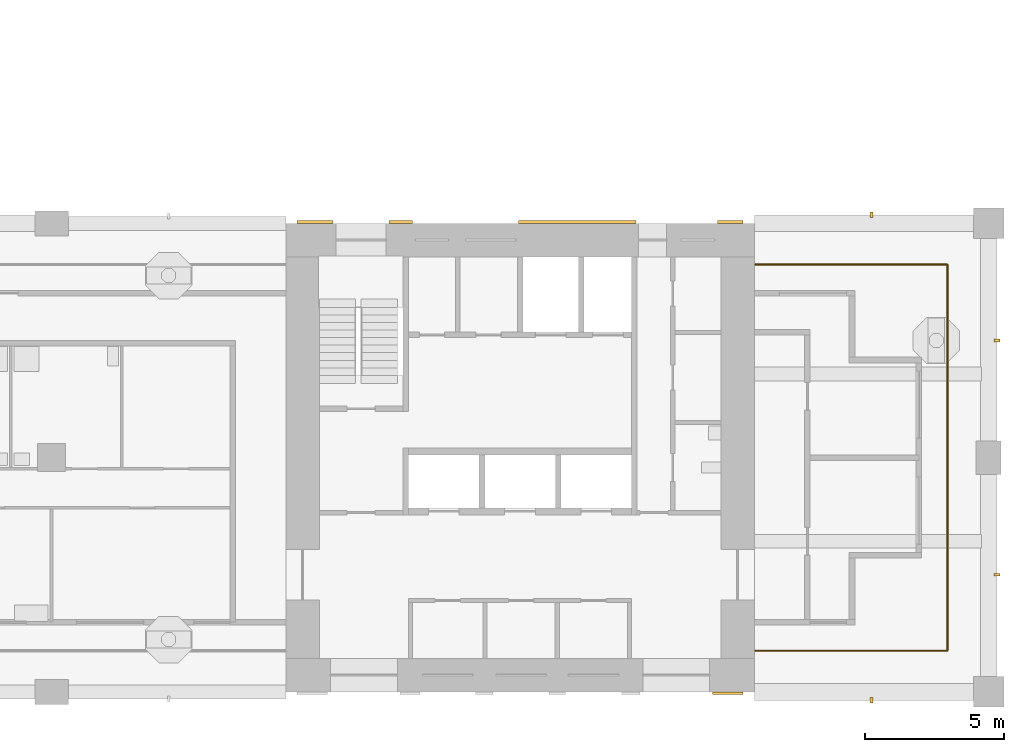
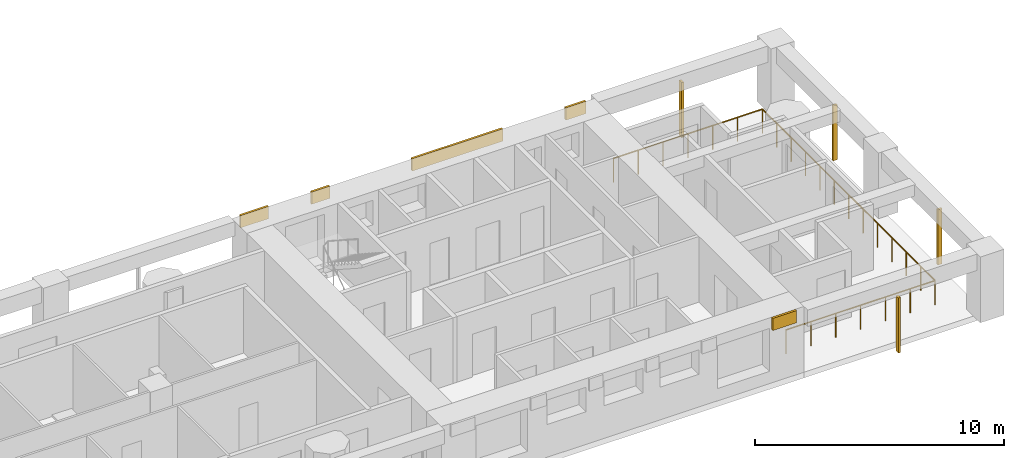
# One storey, part 9 of 13: 9 shading devices, 1 railing.
"""IFC4 building model written with IfcOpenShell, lengths in metres."""

from ifc_helpers import new_model, si_unit, direction, frame, origin, origin_2d, place, context, subcontext, project, spatial, rectangle, circle, extrude, material, layer, layer_set, material_profile, profile_set, type_object, element, save


model = new_model("IFC4")

# Units and contexts
model_context = context("Model", 3, precision=1e-05, world=origin(), true_north=direction((0.0, 1.0)))
body_context = subcontext(model_context, "Body", "Model", "MODEL_VIEW")
ifc_project = project(units=[si_unit("LENGTHUNIT", "METRE"), si_unit("AREAUNIT", "SQUARE_METRE"), si_unit("VOLUMEUNIT", "CUBIC_METRE"), si_unit("PLANEANGLEUNIT", "RADIAN"), si_unit("MASSUNIT", "GRAM", prefix="KILO")], contexts=[model_context])

# Site, building, storey
site_placement = place(None, origin())
site = spatial("IfcSite", under=ifc_project, at=site_placement, CompositionType="ELEMENT")
building_placement = place(site_placement, origin())
building = spatial("IfcBuilding", under=site, at=building_placement, Name="Vermilion Gate Residences", CompositionType="ELEMENT")
storey_placement = place(building_placement, frame((0.0, 0.0, 196.699951171875)))
storey = spatial("IfcBuildingStorey", under=building, at=storey_placement, Name="L51", CompositionType="ELEMENT", Elevation=196.699951171875)

# Railing
ifc_material_1 = material(Name="Stainless steel and toughened glass", Category="steel")
railing_type = type_object("IfcRailingType", Name="LOGGIA GUARD STEEL AND GLASS 1200", PredefinedType="GUARDRAIL", material=ifc_material_1)
railing_placement = place(storey_placement, frame((58.822021484375, 9.875, 0.0)))
element("IfcRailing", 1, at=railing_placement, inside=storey, type_object=railing_type, Name="Loggia guard", PredefinedType="GUARDRAIL", context=body_context, shape_type="SweptSolid", body=[
    extrude(circle(Radius=0.030029296875, at=origin_2d()), frame((0.0, 0.0, 1.169921875), z_axis=(1.0, 0.0, 0.0), x_axis=(0.0, 1.0, 0.0)), (0.0, 0.0, 1.0), 6.903076171875),
    extrude(circle(Radius=0.030029296875, at=origin_2d()), frame((6.903076171875, 0.0, 1.169921875), z_axis=(0.0, 1.0, 0.0), x_axis=(-1.0, 0.0, 0.0)), (0.0, 0.0, 1.0), 13.85009765625),
    extrude(circle(Radius=0.030029296875, at=origin_2d()), frame((6.903076171875, 13.85009765625, 1.169921875), z_axis=(-1.0, 0.0, 0.0), x_axis=(0.0, -1.0, 0.0)), (0.0, 0.0, 1.0), 6.903076171875),
    extrude(circle(Radius=0.02490234375, at=origin_2d()), origin(), (0.0, 0.0, 1.0), 1.139892578125),
    extrude(circle(Radius=0.02490234375, at=origin_2d()), frame((1.150390625, 0.0, 0.0)), (0.0, 0.0, 1.0), 1.139892578125),
    extrude(circle(Radius=0.02490234375, at=origin_2d()), frame((2.301025390625, 0.0, 0.0)), (0.0, 0.0, 1.0), 1.139892578125),
    extrude(circle(Radius=0.02490234375, at=origin_2d()), frame((3.45166015625, 0.0, 0.0)), (0.0, 0.0, 1.0), 1.139892578125),
    extrude(circle(Radius=0.02490234375, at=origin_2d()), frame((4.60205078125, 0.0, 0.0)), (0.0, 0.0, 1.0), 1.139892578125),
    extrude(circle(Radius=0.02490234375, at=origin_2d()), frame((5.75244140625, 0.0, 0.0)), (0.0, 0.0, 1.0), 1.139892578125),
    extrude(circle(Radius=0.02490234375, at=origin_2d()), frame((6.903076171875, 0.0, 0.0)), (0.0, 0.0, 1.0), 1.139892578125),
    extrude(circle(Radius=0.02490234375, at=origin_2d()), frame((6.903076171875, 1.154296875, 0.0)), (0.0, 0.0, 1.0), 1.139892578125),
    extrude(circle(Radius=0.02490234375, at=origin_2d()), frame((6.903076171875, 2.308349609375, 0.0)), (0.0, 0.0, 1.0), 1.139892578125),
    extrude(circle(Radius=0.02490234375, at=origin_2d()), frame((6.903076171875, 3.46240234375, 0.0)), (0.0, 0.0, 1.0), 1.139892578125),
    extrude(circle(Radius=0.02490234375, at=origin_2d()), frame((6.903076171875, 4.61669921875, 0.0)), (0.0, 0.0, 1.0), 1.139892578125),
    extrude(circle(Radius=0.02490234375, at=origin_2d()), frame((6.903076171875, 5.77099609375, 0.0)), (0.0, 0.0, 1.0), 1.139892578125),
    extrude(circle(Radius=0.02490234375, at=origin_2d()), frame((6.903076171875, 6.925048828125, 0.0)), (0.0, 0.0, 1.0), 1.139892578125),
    extrude(circle(Radius=0.02490234375, at=origin_2d()), frame((6.903076171875, 8.0791015625, 0.0)), (0.0, 0.0, 1.0), 1.139892578125),
    extrude(circle(Radius=0.02490234375, at=origin_2d()), frame((6.903076171875, 9.2333984375, 0.0)), (0.0, 0.0, 1.0), 1.139892578125),
    extrude(circle(Radius=0.02490234375, at=origin_2d()), frame((6.903076171875, 10.3876953125, 0.0)), (0.0, 0.0, 1.0), 1.139892578125),
    extrude(circle(Radius=0.02490234375, at=origin_2d()), frame((6.903076171875, 11.541748046875, 0.0)), (0.0, 0.0, 1.0), 1.139892578125),
    extrude(circle(Radius=0.02490234375, at=origin_2d()), frame((6.903076171875, 12.69580078125, 0.0)), (0.0, 0.0, 1.0), 1.139892578125),
    extrude(circle(Radius=0.02490234375, at=origin_2d()), frame((6.903076171875, 13.85009765625, 0.0)), (0.0, 0.0, 1.0), 1.139892578125),
    extrude(circle(Radius=0.02490234375, at=origin_2d()), frame((5.75244140625, 13.85009765625, 0.0)), (0.0, 0.0, 1.0), 1.139892578125),
    extrude(circle(Radius=0.02490234375, at=origin_2d()), frame((4.60205078125, 13.85009765625, 0.0)), (0.0, 0.0, 1.0), 1.139892578125),
    extrude(circle(Radius=0.02490234375, at=origin_2d()), frame((3.45166015625, 13.85009765625, 0.0)), (0.0, 0.0, 1.0), 1.139892578125),
    extrude(circle(Radius=0.02490234375, at=origin_2d()), frame((2.301025390625, 13.85009765625, 0.0)), (0.0, 0.0, 1.0), 1.139892578125),
    extrude(circle(Radius=0.02490234375, at=origin_2d()), frame((1.150390625, 13.85009765625, 0.0)), (0.0, 0.0, 1.0), 1.139892578125),
    extrude(circle(Radius=0.02490234375, at=origin_2d()), frame((0.0, 13.85009765625, 0.0)), (0.0, 0.0, 1.0), 1.139892578125),
])

# Shading devices
ifc_material_2 = material(Name="Extruded terracotta", Category="masonry")
ifc_material_profile = material_profile(ifc_material_2, rectangle(XDim=0.199951171875, YDim=0.10009765625, at=origin_2d()), Name="BAGUETTE 100 X 200")
ifc_profile_set = profile_set([ifc_material_profile], Name="Extruded terracotta")
shading_device_type_1 = type_object("IfcShadingDeviceType", Name="TERRACOTTA BAGUETTE 100 X 200", PredefinedType="JALOUSIE", material=ifc_profile_set)
for number, where, z_axis, x_axis, name in (
    (2, (63.0, 8.10009765625, -0.280029296875), (0.0, 0.0, 1.0), (0.0, 1.0, 0.0), "BAGUETTE"),
    (3, (67.5, 12.60009765625, -0.280029296875), (0.0, 0.0, 1.0), (-1.0, 0.0, 0.0), "BAGUETTE"),
    (4, (67.5, 21.0, -0.280029296875), (0.0, 0.0, 1.0), (-1.0, 0.0, 0.0), "BAGUETTE"),
    (5, (63.0, 25.5, -0.280029296875), (0.0, 0.0, 1.0), (0.0, -1.0, 0.0), "BAGUETTE"),
):
    element("IfcShadingDevice", number, at=place(storey_placement, frame(where, z_axis=z_axis, x_axis=x_axis)), inside=storey, type_object=shading_device_type_1, Name=name, PredefinedType="JALOUSIE", context=body_context, shape_type="SweptSolid", body=[
        extrude(rectangle(XDim=0.199951171875, YDim=0.10009765625, at=origin_2d()), origin(), (0.0, 0.0, 1.0), 2.7001953125),
    ])
ifc_material_3 = material(Name="Extruded terracotta", Category="masonry")
ifc_layer = layer(ifc_material_3, 0.10009765625)
ifc_layer_set = layer_set([ifc_layer], Name="TERRACOTTA SPANDREL BAND 600 X 100")
shading_device_type_2 = type_object("IfcShadingDeviceType", Name="TERRACOTTA SPANDREL BAND 600 X 100", PredefinedType="USERDEFINED", material=ifc_layer_set)
shading_device_1_placement = place(storey_placement, frame((57.85009765625, 8.35009765625, 2.6201171875), z_axis=(0.0, 0.0, 1.0), x_axis=(1.0, 0.0, 0.0)))
element("IfcShadingDevice", 6, at=shading_device_1_placement, inside=storey, type_object=shading_device_type_2, Name="SPANDREL BAND", ObjectType="BAND", PredefinedType="USERDEFINED", context=body_context, shape_type="SweptSolid", body=[
    extrude(rectangle(XDim=1.10009765625, YDim=0.10009765625, at=origin_2d()), origin(), (0.0, 0.0, 1.0), 0.60009765625),
])
shading_device_2_placement = place(storey_placement, frame((43.050048828125, 25.25, 2.6201171875), z_axis=(0.0, 0.0, 1.0), x_axis=(1.0, 0.0, 0.0)))
element("IfcShadingDevice", 7, at=shading_device_2_placement, inside=storey, type_object=shading_device_type_2, Name="SPANDREL BAND", ObjectType="BAND", PredefinedType="USERDEFINED", context=body_context, shape_type="SweptSolid", body=[
    extrude(rectangle(XDim=1.300048828125, YDim=0.10009765625, at=origin_2d()), origin(), (0.0, 0.0, 1.0), 0.60009765625),
])
shading_device_3_placement = place(storey_placement, frame((46.121826171875, 25.25, 2.6201171875), z_axis=(0.0, 0.0, 1.0), x_axis=(1.0, 0.0, 0.0)))
element("IfcShadingDevice", 8, at=shading_device_3_placement, inside=storey, type_object=shading_device_type_2, Name="SPANDREL BAND", ObjectType="BAND", PredefinedType="USERDEFINED", context=body_context, shape_type="SweptSolid", body=[
    extrude(rectangle(XDim=0.84375, YDim=0.10009765625, at=origin_2d()), origin(), (0.0, 0.0, 1.0), 0.60009765625),
])
shading_device_4_placement = place(storey_placement, frame((52.449951171875, 25.25, 2.6201171875), z_axis=(0.0, 0.0, 1.0), x_axis=(1.0, 0.0, 0.0)))
element("IfcShadingDevice", 9, at=shading_device_4_placement, inside=storey, type_object=shading_device_type_2, Name="SPANDREL BAND", ObjectType="BAND", PredefinedType="USERDEFINED", context=body_context, shape_type="SweptSolid", body=[
    extrude(rectangle(XDim=4.199951171875, YDim=0.10009765625, at=origin_2d()), origin(), (0.0, 0.0, 1.0), 0.60009765625),
])
shading_device_5_placement = place(storey_placement, frame((57.9375, 25.25, 2.6201171875), z_axis=(0.0, 0.0, 1.0), x_axis=(1.0, 0.0, 0.0)))
element("IfcShadingDevice", 10, at=shading_device_5_placement, inside=storey, type_object=shading_device_type_2, Name="SPANDREL BAND", ObjectType="BAND", PredefinedType="USERDEFINED", context=body_context, shape_type="SweptSolid", body=[
    extrude(rectangle(XDim=0.925048828125, YDim=0.10009765625, at=origin_2d()), origin(), (0.0, 0.0, 1.0), 0.60009765625),
])

save(model, "model.ifc")
